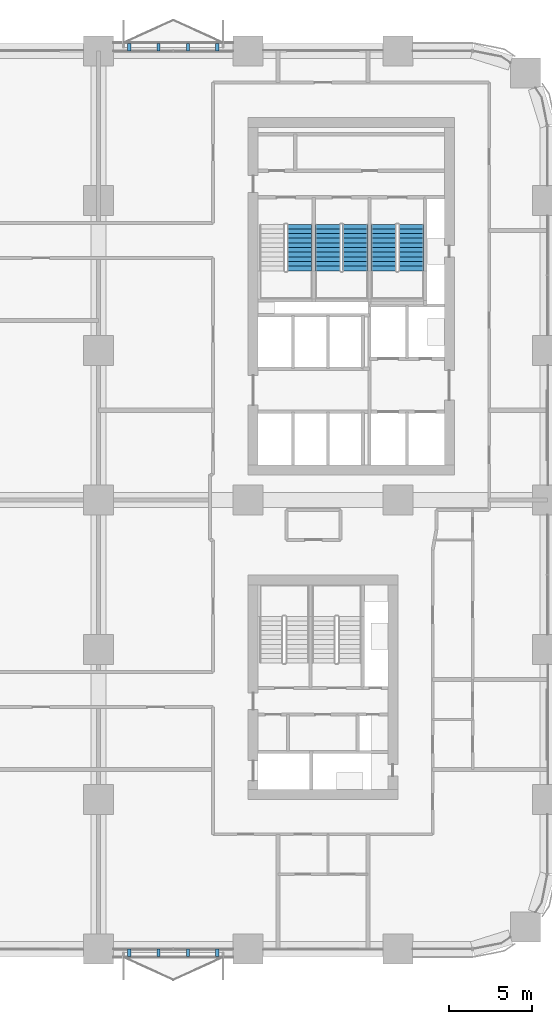
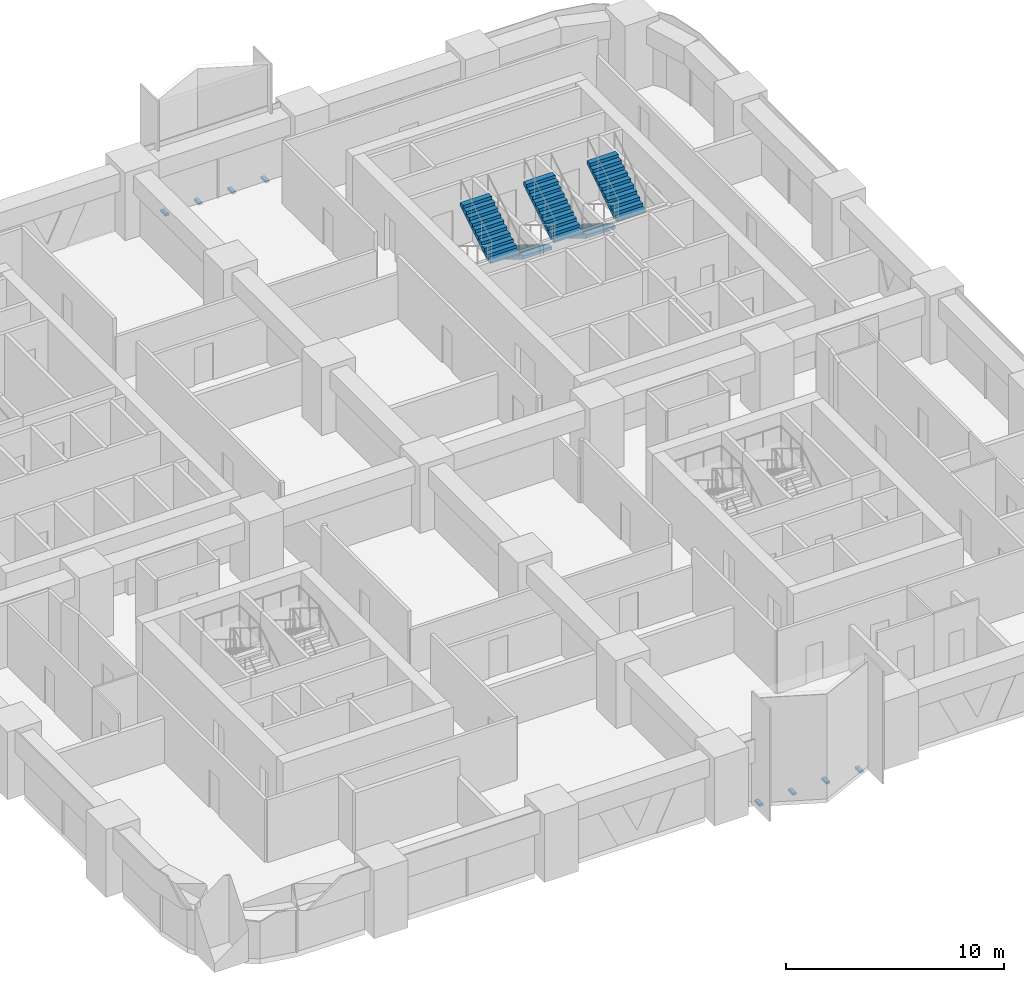
# One storey, part 19 of 22: 8 discrete accessories, 5 stair flights, 3 elements without a shape of their own.
"""IFC4 building model written with IfcOpenShell, lengths in metres."""

from ifc_helpers import new_model, si_unit, direction, frame, origin, origin_2d, place, context, subcontext, project, spatial, polyline, rectangle, outline, extrude, material, type_object, element, aggregate, save


model = new_model("IFC4")

# Units and contexts
model_context = context("Model", 3, precision=1e-05, world=origin(), true_north=direction((0.0, 1.0)))
body_context = subcontext(model_context, "Body", "Model", "MODEL_VIEW")
ifc_project = project(units=[si_unit("LENGTHUNIT", "METRE"), si_unit("AREAUNIT", "SQUARE_METRE"), si_unit("VOLUMEUNIT", "CUBIC_METRE"), si_unit("PLANEANGLEUNIT", "RADIAN"), si_unit("MASSUNIT", "GRAM", prefix="KILO")], contexts=[model_context])

# Site, building, storey
site_placement = place(None, origin())
site = spatial("IfcSite", under=ifc_project, at=site_placement, CompositionType="ELEMENT")
building_placement = place(site_placement, origin())
building = spatial("IfcBuilding", under=site, at=building_placement, Name="Tessera Arch", CompositionType="ELEMENT")
storey_placement = place(building_placement, frame((0.0, 0.0, 53.800048828125)))
storey = spatial("IfcBuildingStorey", under=building, at=storey_placement, Name="L11", CompositionType="ELEMENT", Elevation=53.800048828125)

# Stair, stair flight
ifc_material_1 = material(Name="Concrete C40/50", Category="concrete")
stair_type = type_object("IfcStairType", Name="Dogleg stair 1520", PredefinedType="HALF_TURN_STAIR", material=ifc_material_1)
stair_1_placement = place(storey_placement, origin())
stair_1 = element("IfcStair", 1, at=stair_1_placement, inside=storey, type_object=stair_type, Name="L11 S1a", PredefinedType="HALF_TURN_STAIR")
ifc_material_2 = material(Name="Concrete C40/50", Category="concrete")
stair_flight_type = type_object("IfcStairFlightType", Name="Stair flight 1520", PredefinedType="STRAIGHT", material=ifc_material_2)
stair_flight_1_placement = place(storey_placement, frame((39.090087890625, 40.780029296875, 1.89990234375), z_axis=(0.0, 0.0, 1.0), x_axis=(0.0, 1.0, 0.0)))
stair_flight_1 = element("IfcStairFlight", 2, at=stair_flight_1_placement, type_object=stair_flight_type, Name="S1a flight 2", NumberOfRisers=11, NumberOfTreads=10, PredefinedType="STRAIGHT", RiserHeight=0.172727273, TreadLength=0.28, context=body_context, shape_type="SweptSolid", body=[
    extrude(outline(polyline([(0.0, 0.0), (0.0, 0.172607421875), (0.280029296875, 0.172607421875), (0.280029296875, 0.345458984375), (0.56005859375, 0.345458984375), (0.56005859375, 0.51806640625), (0.840087890625, 0.51806640625), (0.840087890625, 0.69091796875), (1.1201171875, 0.69091796875), (1.1201171875, 0.863525390625), (1.39990234375, 0.863525390625), (1.39990234375, 1.036376953125), (1.679931640625, 1.036376953125), (1.679931640625, 1.208984375), (1.9599609375, 1.208984375), (1.9599609375, 1.3818359375), (2.239990234375, 1.3818359375), (2.239990234375, 1.554443359375), (2.52001953125, 1.554443359375), (2.52001953125, 1.727294921875), (2.800048828125, 1.727294921875), (2.800048828125, 1.89990234375), (2.800048828125, 1.551025390625), (0.285400390625, 0.0), (0.0, 0.0)])), frame((0.0, 0.760009765625, 0.0), z_axis=(0.0, -1.0, 0.0), x_axis=(1.0, 0.0, 0.0)), (0.0, 0.0, 1.0), 1.52001953125),
])
aggregate(stair_1, [stair_flight_1])

# Stair, stair flights
stair_2_placement = place(storey_placement, origin())
stair_2 = element("IfcStair", 3, at=stair_2_placement, inside=storey, type_object=stair_type, Name="L11 S1b", PredefinedType="HALF_TURN_STAIR")
stair_flight_2_placement = place(storey_placement, frame((40.81005859375, 43.580078125, 0.0), z_axis=(0.0, 0.0, 1.0), x_axis=(0.0, -1.0, 0.0)))
stair_flight_2 = element("IfcStairFlight", 4, at=stair_flight_2_placement, type_object=stair_flight_type, Name="S1b flight 1", NumberOfRisers=11, NumberOfTreads=10, PredefinedType="STRAIGHT", RiserHeight=0.172727273, TreadLength=0.28, context=body_context, shape_type="SweptSolid", body=[
    extrude(outline(polyline([(0.0, 0.0), (0.0, 0.172607421875), (0.280029296875, 0.172607421875), (0.280029296875, 0.345458984375), (0.56005859375, 0.345458984375), (0.56005859375, 0.51806640625), (0.840087890625, 0.51806640625), (0.840087890625, 0.69091796875), (1.1201171875, 0.69091796875), (1.1201171875, 0.863525390625), (1.39990234375, 0.863525390625), (1.39990234375, 1.036376953125), (1.679931640625, 1.036376953125), (1.679931640625, 1.208984375), (1.9599609375, 1.208984375), (1.9599609375, 1.3818359375), (2.239990234375, 1.3818359375), (2.239990234375, 1.554443359375), (2.52001953125, 1.554443359375), (2.52001953125, 1.727294921875), (2.800048828125, 1.727294921875), (2.800048828125, 1.89990234375), (2.800048828125, 1.551025390625), (0.285400390625, 0.0), (0.0, 0.0)])), frame((0.0, 0.760009765625, 0.0), z_axis=(0.0, -1.0, 0.0), x_axis=(1.0, 0.0, 0.0)), (0.0, 0.0, 1.0), 1.52001953125),
])
stair_flight_3_placement = place(storey_placement, frame((42.43994140625, 40.780029296875, 1.89990234375), z_axis=(0.0, 0.0, 1.0), x_axis=(0.0, 1.0, 0.0)))
stair_flight_3 = element("IfcStairFlight", 5, at=stair_flight_3_placement, type_object=stair_flight_type, Name="S1b flight 2", NumberOfRisers=11, NumberOfTreads=10, PredefinedType="STRAIGHT", RiserHeight=0.172727273, TreadLength=0.28, context=body_context, shape_type="SweptSolid", body=[
    extrude(outline(polyline([(0.0, 0.0), (0.0, 0.172607421875), (0.280029296875, 0.172607421875), (0.280029296875, 0.345458984375), (0.56005859375, 0.345458984375), (0.56005859375, 0.51806640625), (0.840087890625, 0.51806640625), (0.840087890625, 0.69091796875), (1.1201171875, 0.69091796875), (1.1201171875, 0.863525390625), (1.39990234375, 0.863525390625), (1.39990234375, 1.036376953125), (1.679931640625, 1.036376953125), (1.679931640625, 1.208984375), (1.9599609375, 1.208984375), (1.9599609375, 1.3818359375), (2.239990234375, 1.3818359375), (2.239990234375, 1.554443359375), (2.52001953125, 1.554443359375), (2.52001953125, 1.727294921875), (2.800048828125, 1.727294921875), (2.800048828125, 1.89990234375), (2.800048828125, 1.551025390625), (0.285400390625, 0.0), (0.0, 0.0)])), frame((0.0, 0.760009765625, 0.0), z_axis=(0.0, -1.0, 0.0), x_axis=(1.0, 0.0, 0.0)), (0.0, 0.0, 1.0), 1.52001953125),
])
aggregate(stair_2, [stair_flight_2, stair_flight_3])

stair_3_placement = place(storey_placement, origin())
stair_3 = element("IfcStair", 6, at=stair_3_placement, inside=storey, type_object=stair_type, Name="L11 S1c", PredefinedType="HALF_TURN_STAIR")
stair_flight_4_placement = place(storey_placement, frame((44.159912109375, 43.580078125, 0.0), z_axis=(0.0, 0.0, 1.0), x_axis=(0.0, -1.0, 0.0)))
stair_flight_4 = element("IfcStairFlight", 7, at=stair_flight_4_placement, type_object=stair_flight_type, Name="S1c flight 1", NumberOfRisers=11, NumberOfTreads=10, PredefinedType="STRAIGHT", RiserHeight=0.172727273, TreadLength=0.28, context=body_context, shape_type="SweptSolid", body=[
    extrude(outline(polyline([(0.0, 0.0), (0.0, 0.172607421875), (0.280029296875, 0.172607421875), (0.280029296875, 0.345458984375), (0.56005859375, 0.345458984375), (0.56005859375, 0.51806640625), (0.840087890625, 0.51806640625), (0.840087890625, 0.69091796875), (1.1201171875, 0.69091796875), (1.1201171875, 0.863525390625), (1.39990234375, 0.863525390625), (1.39990234375, 1.036376953125), (1.679931640625, 1.036376953125), (1.679931640625, 1.208984375), (1.9599609375, 1.208984375), (1.9599609375, 1.3818359375), (2.239990234375, 1.3818359375), (2.239990234375, 1.554443359375), (2.52001953125, 1.554443359375), (2.52001953125, 1.727294921875), (2.800048828125, 1.727294921875), (2.800048828125, 1.89990234375), (2.800048828125, 1.551025390625), (0.285400390625, 0.0), (0.0, 0.0)])), frame((0.0, 0.760009765625, 0.0), z_axis=(0.0, -1.0, 0.0), x_axis=(1.0, 0.0, 0.0)), (0.0, 0.0, 1.0), 1.52001953125),
])
stair_flight_5_placement = place(storey_placement, frame((45.7900390625, 40.780029296875, 1.89990234375), z_axis=(0.0, 0.0, 1.0), x_axis=(0.0, 1.0, 0.0)))
stair_flight_5 = element("IfcStairFlight", 8, at=stair_flight_5_placement, type_object=stair_flight_type, Name="S1c flight 2", NumberOfRisers=11, NumberOfTreads=10, PredefinedType="STRAIGHT", RiserHeight=0.172727273, TreadLength=0.28, context=body_context, shape_type="SweptSolid", body=[
    extrude(outline(polyline([(0.0, 0.0), (0.0, 0.172607421875), (0.280029296875, 0.172607421875), (0.280029296875, 0.345458984375), (0.56005859375, 0.345458984375), (0.56005859375, 0.51806640625), (0.840087890625, 0.51806640625), (0.840087890625, 0.69091796875), (1.1201171875, 0.69091796875), (1.1201171875, 0.863525390625), (1.39990234375, 0.863525390625), (1.39990234375, 1.036376953125), (1.679931640625, 1.036376953125), (1.679931640625, 1.208984375), (1.9599609375, 1.208984375), (1.9599609375, 1.3818359375), (2.239990234375, 1.3818359375), (2.239990234375, 1.554443359375), (2.52001953125, 1.554443359375), (2.52001953125, 1.727294921875), (2.800048828125, 1.727294921875), (2.800048828125, 1.89990234375), (2.800048828125, 1.551025390625), (0.285400390625, 0.0), (0.0, 0.0)])), frame((0.0, 0.760009765625, 0.0), z_axis=(0.0, -1.0, 0.0), x_axis=(1.0, 0.0, 0.0)), (0.0, 0.0, 1.0), 1.52001953125),
])
aggregate(stair_3, [stair_flight_4, stair_flight_5])

# Discrete accessories
for number, where, z_axis, x_axis, name in (
    (9, (34.14990234375, 54.219970703125, -0.1201171875), (0.0, 0.0, 1.0), (0.0, 1.0, 0.0), "Window box bracket"),
    (10, (32.38330078125, 54.219970703125, -0.1201171875), (0.0, 0.0, 1.0), (0.0, 1.0, 0.0), "Window box bracket"),
    (11, (30.61669921875, 54.219970703125, -0.1201171875), (0.0, 0.0, 1.0), (0.0, 1.0, 0.0), "Window box bracket"),
    (12, (28.85009765625, 54.219970703125, -0.1201171875), (0.0, 0.0, 1.0), (0.0, 1.0, 0.0), "Window box bracket"),
    (13, (28.85009765625, -0.219970703125, -0.1201171875), (0.0, 0.0, 1.0), (0.0, -1.0, 0.0), "Window box bracket"),
    (14, (30.61669921875, -0.219970703125, -0.1201171875), (0.0, 0.0, 1.0), (0.0, -1.0, 0.0), "Window box bracket"),
    (15, (32.38330078125, -0.219970703125, -0.1201171875), (0.0, 0.0, 1.0), (0.0, -1.0, 0.0), "Window box bracket"),
    (16, (34.14990234375, -0.219970703125, -0.1201171875), (0.0, 0.0, 1.0), (0.0, -1.0, 0.0), "Window box bracket"),
):
    element("IfcDiscreteAccessory", number, at=place(storey_placement, frame(where, z_axis=z_axis, x_axis=x_axis)), inside=storey, Name=name, PredefinedType="BRACKET", context=body_context, shape_type="SweptSolid", body=[
        extrude(rectangle(XDim=0.43994140625, YDim=0.199951171875, at=origin_2d()), origin(), (0.0, 0.0, 1.0), 0.1201171875),
    ])

save(model, "model.ifc")
